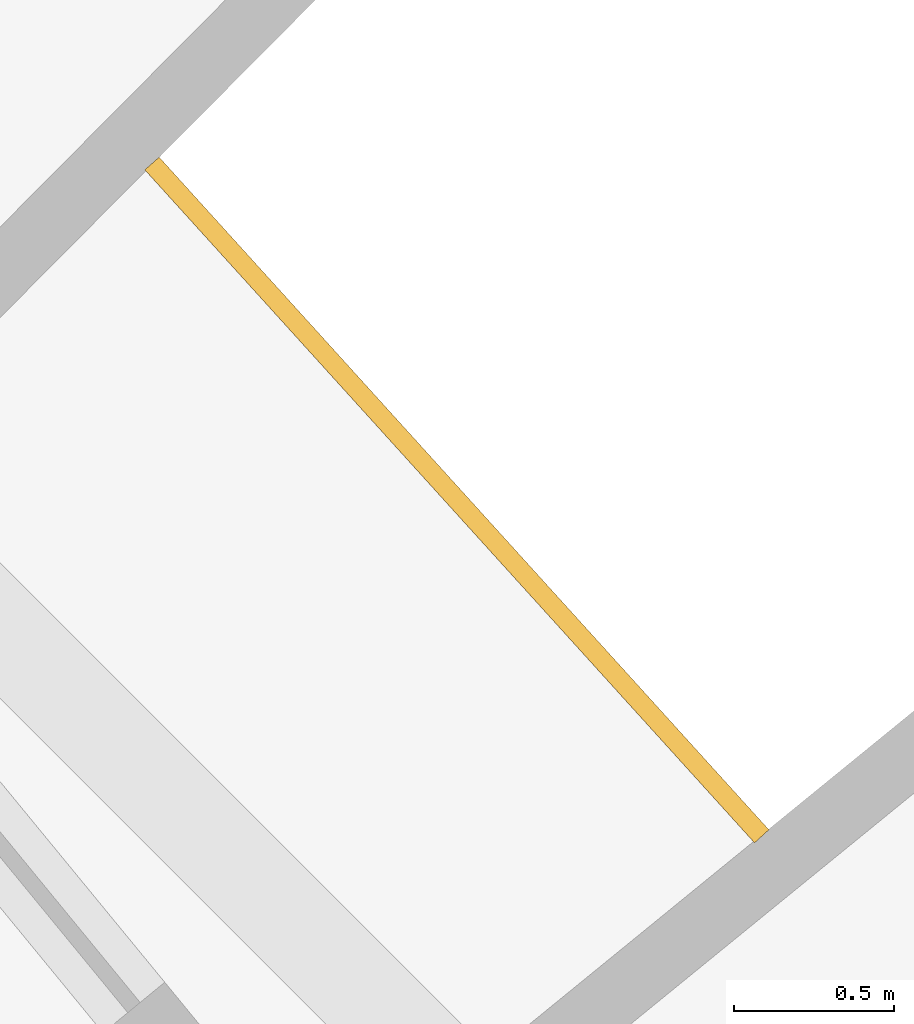
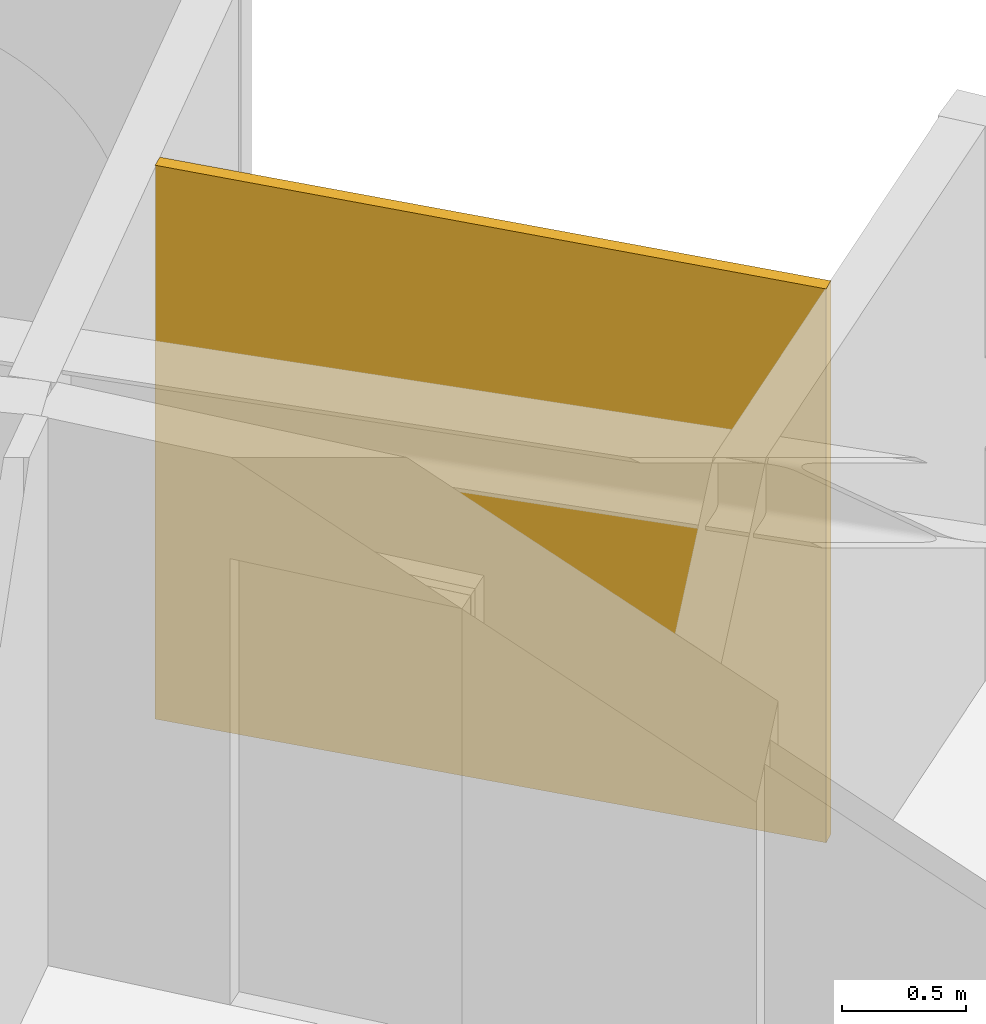
# One storey, part 29 of 29: 1 railing.
"""IFC4 building model written with IfcOpenShell, lengths in metres."""

from ifc_helpers import new_model, si_unit, direction, frame, origin, place, context, subcontext, project, spatial, polyline, outline, extrude, material, layer, layer_set, type_object, element, save


model = new_model("IFC4")

# Units and contexts
model_context = context("Model", 3, precision=1e-05, world=origin(), true_north=direction((0.0, 1.0)))
body_context = subcontext(model_context, "Body", "Model", "MODEL_VIEW")
ifc_project = project(units=[si_unit("LENGTHUNIT", "METRE"), si_unit("AREAUNIT", "SQUARE_METRE"), si_unit("VOLUMEUNIT", "CUBIC_METRE"), si_unit("PLANEANGLEUNIT", "RADIAN"), si_unit("MASSUNIT", "GRAM", prefix="KILO")], contexts=[model_context])

# Site, building, storey
site_placement = place(None, origin())
site = spatial("IfcSite", under=ifc_project, at=site_placement, CompositionType="ELEMENT")
building_placement = place(site_placement, origin())
building = spatial("IfcBuilding", under=site, at=building_placement, Name="Maasbend Ring Residences", CompositionType="ELEMENT")
storey_placement = place(building_placement, frame((0.0, 0.0, 205.449951171875)))
storey = spatial("IfcBuildingStorey", under=building, at=storey_placement, Name="L59", CompositionType="ELEMENT", Elevation=205.449951171875)

# Railing
ifc_material = material(Name="Pale anodised perforated aluminium", Category="aluminium")
ifc_layer = layer(ifc_material, 0.06005859375)
ifc_layer_set = layer_set([ifc_layer], Name="SCREEN-P")
railing_type = type_object("IfcRailingType", Name="SCREEN-P", PredefinedType="GUARDRAIL", material=ifc_layer_set)
railing_placement = place(storey_placement, frame((0.0, 0.0, -0.030029296875)))
element("IfcRailing", 1, at=railing_placement, inside=storey, type_object=railing_type, Name="Perforated screen guard 1", PredefinedType="GUARDRAIL", context=body_context, shape_type="SweptSolid", body=[
    extrude(outline(polyline([(22.4169921875, 18.39697265625), (20.506103515625, 20.506103515625), (20.551025390625, 20.5458984375), (22.4619140625, 18.43798828125), (22.4169921875, 18.39697265625)])), origin(), (0.0, 0.0, 1.0), 2.72998046875),
])

save(model, "model.ifc")
